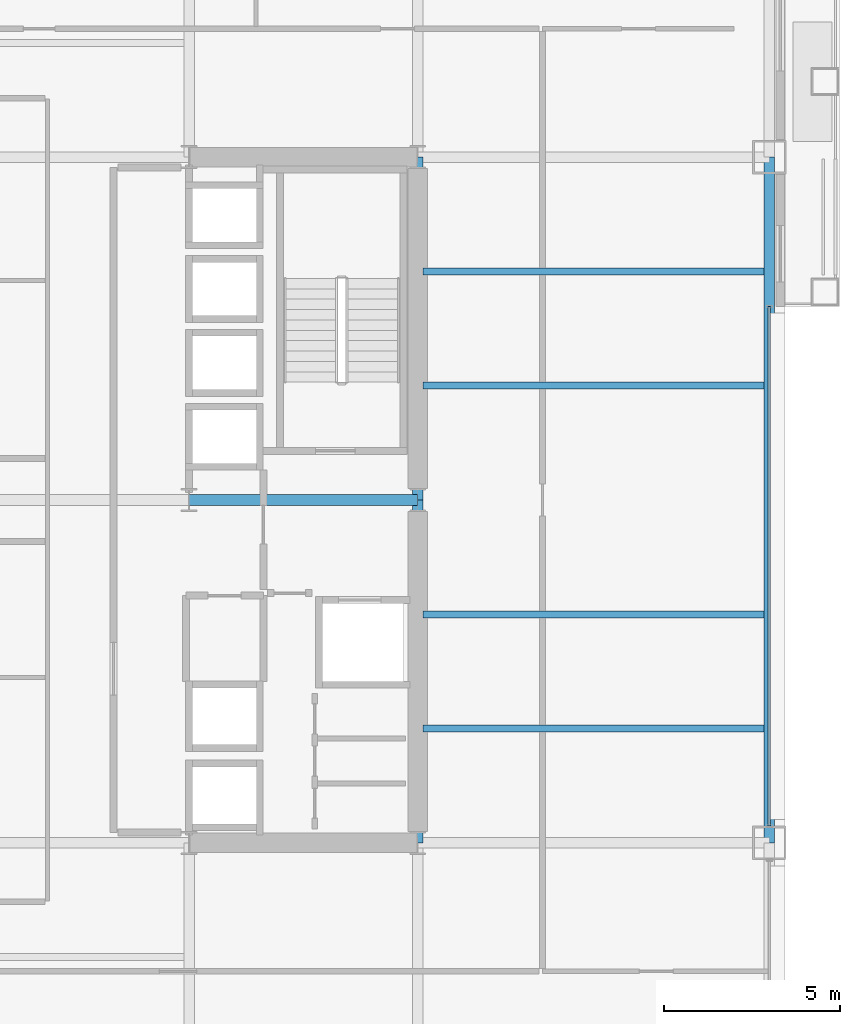
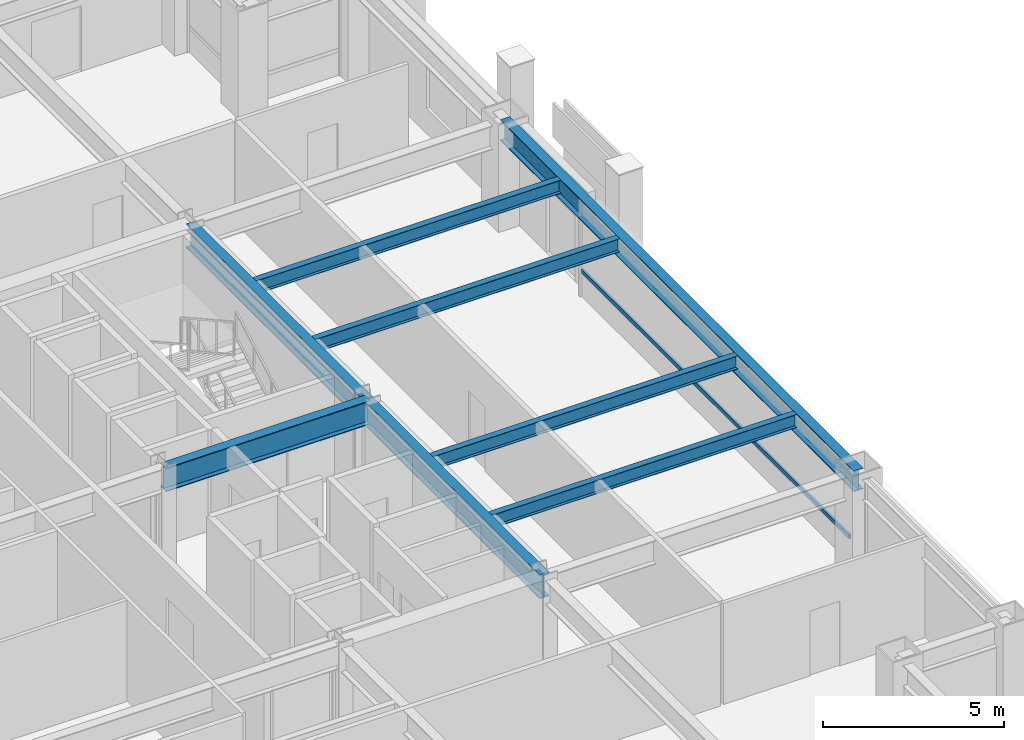
# One storey, part 13 of 31: 8 beams, 1 member, 1 element without a shape of its own.
"""IFC4 building model written with IfcOpenShell, lengths in metres."""

from ifc_helpers import new_model, si_unit, direction, frame, origin, origin_2d, place, context, subcontext, project, spatial, hollow_rectangle, i_section, extrude, material, layer, layer_set, material_profile, profile_set, type_object, element, aggregate, save


model = new_model("IFC4")

# Units and contexts
model_context = context("Model", 3, precision=1e-05, world=origin(), true_north=direction((0.0, 1.0)))
body_context = subcontext(model_context, "Body", "Model", "MODEL_VIEW")
ifc_project = project(units=[si_unit("LENGTHUNIT", "METRE"), si_unit("AREAUNIT", "SQUARE_METRE"), si_unit("VOLUMEUNIT", "CUBIC_METRE"), si_unit("PLANEANGLEUNIT", "RADIAN"), si_unit("MASSUNIT", "GRAM", prefix="KILO")], contexts=[model_context])

# Site, building, storey
site_placement = place(None, origin())
site = spatial("IfcSite", under=ifc_project, at=site_placement, CompositionType="ELEMENT")
building_placement = place(site_placement, origin())
building = spatial("IfcBuilding", under=site, at=building_placement, Name="Brelmoor Portico Tower", CompositionType="ELEMENT")
storey_placement = place(building_placement, frame((0.0, 0.0, 38.39990234375)))
storey = spatial("IfcBuildingStorey", under=building, at=storey_placement, Name="L09", CompositionType="ELEMENT", Elevation=38.39990234375)

# Beams
ifc_material_1 = material(Name="Steel Q355B", Category="steel")
ifc_material_profile_1 = material_profile(ifc_material_1, i_section(OverallWidth=0.199951171875, OverallDepth=0.449951171875, WebThickness=0.009033203125, FlangeThickness=0.013916015625, at=origin_2d()), Name="HN 450x200x9x14")
ifc_profile_set_1 = profile_set([ifc_material_profile_1], Name="Steel Q355B")
beam_type_1 = type_object("IfcBeamType", Name="BM-JS-450", PredefinedType="JOIST", material=ifc_profile_set_1)
for number, where, z_axis, x_axis, name in (
    (1, (14.699951171875, -6.5, 3.175048828125), (1.0, 0.0, 0.0), (0.0, 1.0, 0.0), "L09 Secondary Wing Joist JS-E09"),
    (2, (14.699951171875, -3.25, 3.175048828125), (1.0, 0.0, 0.0), (0.0, 1.0, 0.0), "L09 Secondary Wing Joist JS-E10"),
    (3, (14.699951171875, 3.25, 3.175048828125), (1.0, 0.0, 0.0), (0.0, 1.0, 0.0), "L09 Secondary Wing Joist JS-E11"),
    (4, (14.699951171875, 6.5, 3.175048828125), (1.0, 0.0, 0.0), (0.0, 1.0, 0.0), "L09 Secondary Wing Joist JS-E12"),
):
    element("IfcBeam", number, at=place(storey_placement, frame(where, z_axis=z_axis, x_axis=x_axis)), inside=storey, type_object=beam_type_1, Name=name, PredefinedType="JOIST", context=body_context, shape_type="SweptSolid", body=[
        extrude(i_section(OverallWidth=0.199951171875, OverallDepth=0.449951171875, WebThickness=0.009033203125, FlangeThickness=0.013916015625, at=origin_2d()), origin(), (0.0, 0.0, 1.0), 9.699951171875),
    ])
ifc_material_profile_2 = material_profile(ifc_material_1, i_section(OverallWidth=0.300048828125, OverallDepth=0.800048828125, WebThickness=0.013916015625, FlangeThickness=0.02587890625, at=origin_2d()), Name="HN 800x300x14x26")
ifc_profile_set_2 = profile_set([ifc_material_profile_2], Name="Steel Q355B")
beam_type_2 = type_object("IfcBeamType", Name="BM-PG-800", PredefinedType="BEAM", material=ifc_profile_set_2)
for number, where, z_axis, x_axis, name in (
    (5, (14.550048828125, -9.75, 3.0), (0.0, 1.0, 0.0), (-1.0, 0.0, 0.0), "L09 Primary Floor Girder PG-12"),
    (6, (14.550048828125, 0.0, 3.0), (0.0, 1.0, 0.0), (-1.0, 0.0, 0.0), "L09 Primary Floor Girder PG-13"),
):
    element("IfcBeam", number, at=place(storey_placement, frame(where, z_axis=z_axis, x_axis=x_axis)), inside=storey, type_object=beam_type_2, Name=name, PredefinedType="BEAM", context=body_context, shape_type="SweptSolid", body=[
        extrude(i_section(OverallWidth=0.300048828125, OverallDepth=0.800048828125, WebThickness=0.013916015625, FlangeThickness=0.02587890625, at=origin_2d()), origin(), (0.0, 0.0, 1.0), 9.75),
    ])
beam_1_placement = place(storey_placement, frame((8.050048828125, 0.0, 3.0), z_axis=(1.0, 0.0, 0.0), x_axis=(0.0, 1.0, 0.0)))
element("IfcBeam", 7, at=beam_1_placement, inside=storey, type_object=beam_type_2, Name="L09 Primary Floor Girder PG-26", PredefinedType="BEAM", context=body_context, shape_type="SweptSolid", body=[
    extrude(i_section(OverallWidth=0.300048828125, OverallDepth=0.800048828125, WebThickness=0.013916015625, FlangeThickness=0.02587890625, at=origin_2d()), origin(), (0.0, 0.0, 1.0), 6.5),
])
ifc_material_profile_3 = material_profile(ifc_material_1, i_section(OverallWidth=0.300048828125, OverallDepth=0.699951171875, WebThickness=0.012939453125, FlangeThickness=0.02392578125, at=origin_2d()), Name="HN 700x300x13x24")
ifc_profile_set_3 = profile_set([ifc_material_profile_3], Name="Steel Q355B")
beam_type_3 = type_object("IfcBeamType", Name="BM-SP-700", PredefinedType="SPANDREL", material=ifc_profile_set_3)
beam_2_placement = place(storey_placement, frame((24.550048828125, -9.75, 3.050048828125), z_axis=(0.0, 1.0, 0.0), x_axis=(-1.0, 0.0, 0.0)))
element("IfcBeam", 8, at=beam_2_placement, inside=storey, type_object=beam_type_3, Name="L09 Perimeter Spandrel Beam SP-23", PredefinedType="SPANDREL", context=body_context, shape_type="SweptSolid", body=[
    extrude(i_section(OverallWidth=0.300048828125, OverallDepth=0.699951171875, WebThickness=0.012939453125, FlangeThickness=0.02392578125, at=origin_2d()), origin(), (0.0, 0.0, 1.0), 19.5),
])

# Curtain wall, member
ifc_material_2 = material(Name="Anodised Aluminium Alloy 6063-T6", Category="aluminium")
ifc_layer = layer(ifc_material_2, 0.179931640625)
ifc_layer_set = layer_set([ifc_layer], Name="Anodised Aluminium Alloy 6063-T6")
curtain_wall_type = type_object("IfcCurtainWallType", Name="CW-TOWER-Z1", PredefinedType="NOTDEFINED", material=ifc_layer_set)
curtain_wall_placement = place(storey_placement, origin())
curtain_wall = element("IfcCurtainWall", 9, at=curtain_wall_placement, inside=storey, type_object=curtain_wall_type, Name="L09 Curtain Wall CW-L09-4L-2", PredefinedType="NOTDEFINED")
ifc_material_profile_4 = material_profile(ifc_material_2, hollow_rectangle(XDim=0.06494140625, YDim=0.139892578125, WallThickness=0.00390625, at=origin_2d()), Name="ALU TRANSOM 65x140")
ifc_profile_set_4 = profile_set([ifc_material_profile_4], Name="Anodised Aluminium Alloy 6063-T6")
member_type = type_object("IfcMemberType", Name="MB-CW-TRAN-140", PredefinedType="USERDEFINED", material=ifc_profile_set_4)
member_placement = place(storey_placement, frame((24.550048828125, -9.264892578125, 0.85009765625), z_axis=(0.0, 1.0, 0.0), x_axis=(-1.0, 0.0, 0.0)))
member = element("IfcMember", 10, at=member_placement, type_object=member_type, Name="CW-L09-4L-2 Transom 1-00", ObjectType="TRANSOM", PredefinedType="USERDEFINED", context=body_context, shape_type="SweptSolid", body=[
    extrude(hollow_rectangle(XDim=0.06494140625, YDim=0.139892578125, WallThickness=0.00390625, at=origin_2d()), origin(), (0.0, 0.0, 1.0), 14.764892578125),
])
aggregate(curtain_wall, [member])

save(model, "model.ifc")
